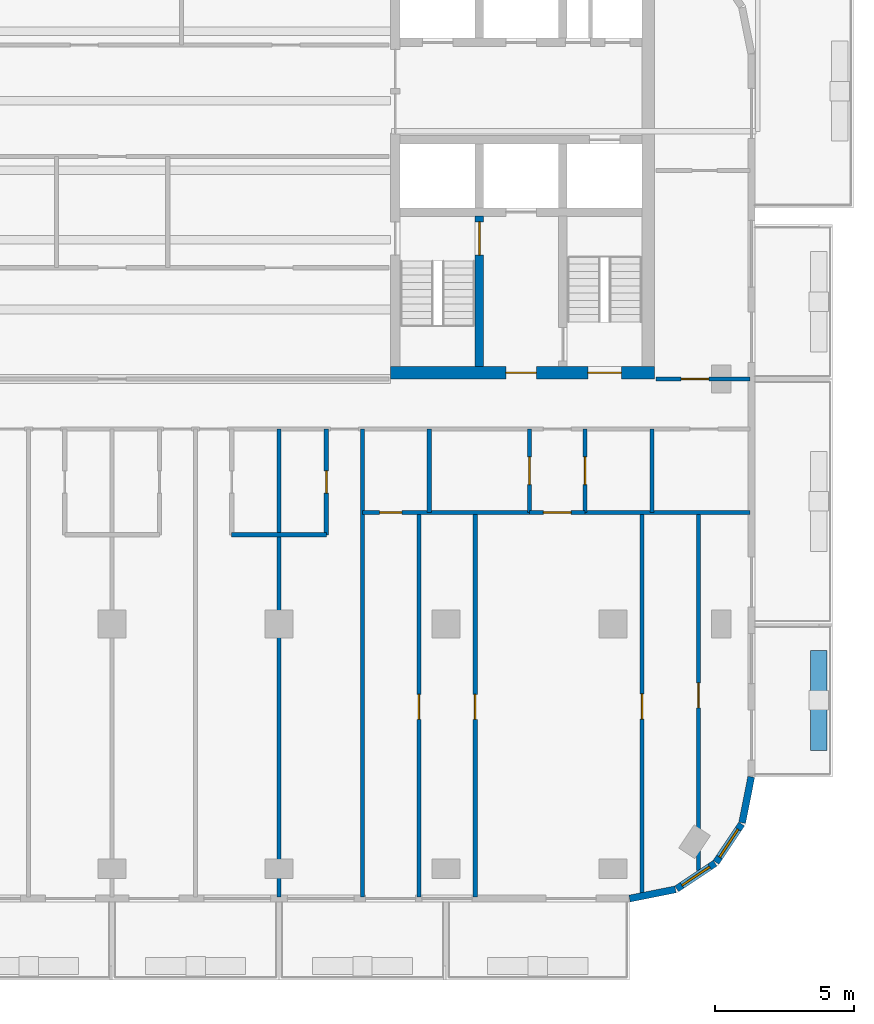
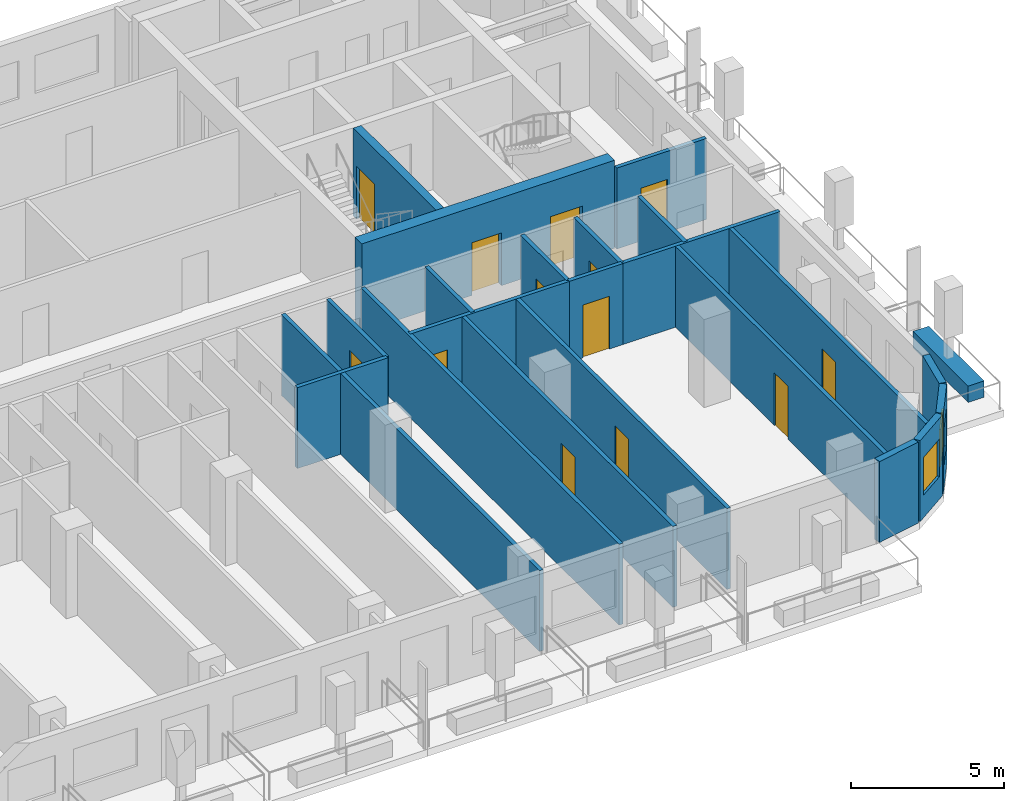
# One storey, part 5 of 11: 23 walls, 13 doors, 2 windows, 15 openings.
"""IFC4 building model written with IfcOpenShell, lengths in metres."""

import ifcopenshell
import ifcopenshell.guid

model = None  # the IFC model being written
_history = None  # IfcOwnerHistory: only IFC2X3 demands one
_inside = {}  # id of a spatial element -> (the spatial element, [elements in it])
_under = {}  # id of a project, library or spatial element -> (it, [spatial elements below it])
_declared = {}  # id of a project -> (the project, [libraries it declares])
_typed = {}  # id of a type object -> (the type object, [elements of that type])
_made_of = {}  # id of a material, layer set ... -> (it, [elements and type objects made of it])


def new_model(schema):
    """Start an empty IFC model of exactly this schema.

    Asked for "IFC4X3", IfcOpenShell would pick the latest addendum, in which some entities
    have other attributes; the version numbers below select the first issue.
    IFC2X3 requires an IfcOwnerHistory on every rooted entity: one is made here for all.
    """
    global model, _history
    if schema == "IFC4X3":
        model = ifcopenshell.file(schema_version=(4, 3, 0, 0))
    else:
        model = ifcopenshell.file(schema=schema)
    _inside.clear()
    _under.clear()
    _declared.clear()
    _typed.clear()
    _made_of.clear()
    _history = None
    if model.schema == "IFC2X3":
        org = make("IfcOrganization", Name="unknown")
        user = make(
            "IfcPersonAndOrganization",
            ThePerson=make("IfcPerson", FamilyName="unknown"),
            TheOrganization=org,
        )
        app = make(
            "IfcApplication",
            ApplicationDeveloper=org,
            Version="unknown",
            ApplicationFullName="unknown",
            ApplicationIdentifier="unknown",
        )
        _history = make(
            "IfcOwnerHistory",
            OwningUser=user,
            OwningApplication=app,
            ChangeAction="ADDED",
            CreationDate=0,
        )
    return model


def make(cls, **values):
    """One entity of the class cls with the attributes given. An attribute that is None is left unset."""
    return model.create_entity(
        cls, **{name: value for name, value in values.items() if value is not None}
    )


def rooted(cls, **values):
    """An entity with a GlobalId (a new one), such as an element, a storey or a relation."""
    return make(cls, GlobalId=ifcopenshell.guid.new(), OwnerHistory=_history, **values)


def si_unit(unit_type, name, prefix=None):
    """IfcSIUnit, for example si_unit("LENGTHUNIT", "METRE", prefix="MILLI")."""
    return make("IfcSIUnit", UnitType=unit_type, Prefix=prefix, Name=name)


def assignment(units):
    """IfcUnitAssignment: the units of a project."""
    return None if units is None else make("IfcUnitAssignment", Units=units)


def point(xyz):
    """IfcCartesianPoint."""
    return None if xyz is None else make("IfcCartesianPoint", Coordinates=xyz)


def direction(xyz):
    """IfcDirection."""
    return None if xyz is None else make("IfcDirection", DirectionRatios=xyz)


def frame(location, z_axis=None, x_axis=None):
    """IfcAxis2Placement3D, a coordinate frame: its origin and axes. An axis left out is left unset."""
    return make(
        "IfcAxis2Placement3D",
        Location=point(location),
        Axis=direction(z_axis),
        RefDirection=direction(x_axis),
    )


def frame_2d(location, x_axis=None):
    """IfcAxis2Placement2D, a coordinate frame in the plane: its origin and x axis."""
    return make(
        "IfcAxis2Placement2D", Location=point(location), RefDirection=direction(x_axis)
    )


def origin():
    """The frame at (0, 0, 0) with its axes left unset."""
    return frame((0.0, 0.0, 0.0))


def place(relative_to, where):
    """IfcLocalPlacement: puts the frame where relative to a parent placement (None: the world)."""
    return make(
        "IfcLocalPlacement", PlacementRelTo=relative_to, RelativePlacement=where
    )


def context(
    kind, dimensions, precision=None, world=None, true_north=None, identifier=None
):
    """IfcGeometricRepresentationContext, for example the 3D "Model" context."""
    return make(
        "IfcGeometricRepresentationContext",
        ContextIdentifier=identifier,
        ContextType=kind,
        CoordinateSpaceDimension=dimensions,
        Precision=precision,
        WorldCoordinateSystem=world,
        TrueNorth=true_north,
    )


def subcontext(parent, identifier, kind, view, scale=None):
    """IfcGeometricRepresentationSubContext, for example "Body" below "Model"."""
    return make(
        "IfcGeometricRepresentationSubContext",
        ContextIdentifier=identifier,
        ContextType=kind,
        ParentContext=parent,
        TargetScale=scale,
        TargetView=view,
    )


def project(units=None, contexts=None):
    """IfcProject with its units and contexts."""
    return rooted(
        "IfcProject",
        Name="project",
        RepresentationContexts=contexts,
        UnitsInContext=assignment(units),
    )


def spatial(cls, under=None, at=None, **own):
    """A site, building, storey or space (cls), placed at a placement, below another one or the project."""
    s = rooted(cls, ObjectPlacement=at, **own)
    if under is not None:
        _under.setdefault(under.id(), (under, []))[1].append(s)
    return s


def profile(cls, at=None, kind="AREA", **sizes):
    """A parametric profile (cls). Its sizes go by their IFC names, for example OverallWidth=200.0."""
    return make(cls, ProfileType=kind, Position=at, **sizes)


def rectangle(**sizes):
    """IfcRectangleProfileDef."""
    return profile("IfcRectangleProfileDef", **sizes)


def extrude(swept, where, along, depth):
    """IfcExtrudedAreaSolid: the profile swept, set in the frame where, extruded along a direction by depth."""
    return make(
        "IfcExtrudedAreaSolid",
        SweptArea=swept,
        Position=where,
        ExtrudedDirection=direction(along),
        Depth=depth,
    )


def shape(context_of_items, identifier, shape_type, items):
    """IfcShapeRepresentation: the items that make up one representation, for example the "Body"."""
    return make(
        "IfcShapeRepresentation",
        ContextOfItems=context_of_items,
        RepresentationIdentifier=identifier,
        RepresentationType=shape_type,
        Items=items,
    )


def material(Name=None, Category=None):
    """IfcMaterial."""
    return make("IfcMaterial", Name=Name, Category=Category)


def layer(
    of_material, thickness, ventilated=None, Name=None, Category=None, Priority=None
):
    """IfcMaterialLayer: one layer of a wall or slab, of a material (None: an air gap)."""
    return make(
        "IfcMaterialLayer",
        Material=of_material,
        LayerThickness=thickness,
        IsVentilated=ventilated,
        Name=Name,
        Category=Category,
        Priority=Priority,
    )


def layer_set(layers, Name=None):
    """IfcMaterialLayerSet."""
    return make("IfcMaterialLayerSet", MaterialLayers=layers, LayerSetName=Name)


def made_of(thing, what):
    """Note that an element or type object is made of a material, layer set ...; save() writes the relation."""
    if what is not None:
        _made_of.setdefault(what.id(), (what, []))[1].append(thing)
    return thing


def type_object(cls, material=None, **own):
    """A type object (cls), such as IfcWallType, which elements share."""
    return made_of(rooted(cls, **own), material)


def element(
    cls,
    number,
    at=None,
    inside=None,
    cuts=None,
    type_object=None,
    material=None,
    context=None,
    identifier="Body",
    shape_type=None,
    held_by="IfcProductDefinitionShape",
    body=None,
    shapes=None,
    **own,
):
    """One element of the class cls, such as IfcWall. Its Tag is "e" and its number.

    at: its placement. inside: the storey or other place that contains it. cuts: it is an
    opening in that element (IfcRelVoidsElement). A single representation is given by context,
    identifier, shape_type and body (its items); several are given by shapes. held_by: the class
    of the entity that holds the representations. save() writes the other relations.
    """
    e = rooted(cls, Tag="e%d" % number, ObjectPlacement=at, **own)
    if body is not None:
        shapes = [shape(context, identifier, shape_type, body)]
    if shapes is not None:
        e.Representation = make(held_by, Representations=shapes)
    if inside is not None:
        _inside.setdefault(inside.id(), (inside, []))[1].append(e)
    if cuts is not None:
        rooted(
            "IfcRelVoidsElement", RelatingBuildingElement=cuts, RelatedOpeningElement=e
        )
    if type_object is not None:
        _typed.setdefault(type_object.id(), (type_object, []))[1].append(e)
    return made_of(e, material)


def fill(opening, filler):
    """IfcRelFillsElement: the door or window that sits in an opening."""
    return rooted(
        "IfcRelFillsElement",
        RelatingOpeningElement=opening,
        RelatedBuildingElement=filler,
    )


def aggregate(whole, parts):
    """IfcRelAggregates: a whole, such as a stair, and the parts it consists of."""
    return rooted("IfcRelAggregates", RelatingObject=whole, RelatedObjects=parts)


def save(model, path):
    """Write the relations noted so far, then the file.

    IfcRelAggregates (storeys below a building ...), IfcRelContainedInSpatialStructure (elements
    in a storey), IfcRelDefinesByType, IfcRelAssociatesMaterial and IfcRelDeclares: one each for
    every whole, place, type object, material and project.
    """
    for whole, parts in _under.values():
        aggregate(whole, parts)
    for where, things in _inside.values():
        rooted(
            "IfcRelContainedInSpatialStructure",
            RelatedElements=things,
            RelatingStructure=where,
        )
    for kind, things in _typed.values():
        rooted("IfcRelDefinesByType", RelatedObjects=things, RelatingType=kind)
    for what, things in _made_of.values():
        rooted("IfcRelAssociatesMaterial", RelatedObjects=things, RelatingMaterial=what)
    for by, libraries in _declared.values():
        rooted("IfcRelDeclares", RelatingContext=by, RelatedDefinitions=libraries)
    model.write(path)


model = new_model("IFC4")

# Units and contexts
model_context = context("Model", 3, precision=1e-05, world=origin(), true_north=direction((0.0, 1.0)))
body_context = subcontext(model_context, "Body", "Model", "MODEL_VIEW")
ifc_project = project(units=[si_unit("LENGTHUNIT", "METRE"), si_unit("AREAUNIT", "SQUARE_METRE"), si_unit("VOLUMEUNIT", "CUBIC_METRE"), si_unit("PLANEANGLEUNIT", "RADIAN"), si_unit("MASSUNIT", "GRAM", prefix="KILO")], contexts=[model_context])

# Site, building, storey
site_placement = place(None, origin())
site = spatial("IfcSite", under=ifc_project, at=site_placement, CompositionType="ELEMENT")
building_placement = place(site_placement, origin())
building = spatial("IfcBuilding", under=site, at=building_placement, Name="Torana Hotel and Residences", CompositionType="ELEMENT")
storey_placement = place(building_placement, frame((0.0, 0.0, 259.60009765625)))
storey = spatial("IfcBuildingStorey", under=building, at=storey_placement, Name="L68", CompositionType="ELEMENT", Elevation=259.60009765625)

# Wall, opening, door
ifc_material_1 = material(Name="Concrete C60/75", Category="concrete")
ifc_layer_1 = layer(ifc_material_1, 0.300048828125)
ifc_layer_set_1 = layer_set([ifc_layer_1], Name="CORE WALL 300 C60/75")
wall_type_1 = type_object("IfcWallType", Name="CORE WALL 300 C60/75", PredefinedType="SHEAR", material=ifc_layer_set_1)
wall_1_placement = place(storey_placement, frame((13.199951171875, -14.550048828125, 0.0), z_axis=(0.0, 0.0, 1.0), x_axis=(0.0, 1.0, 0.0)))
wall_1 = element("IfcWall", 1, at=wall_1_placement, inside=storey, type_object=wall_type_1, Name="Core wall E x3.05-band", PredefinedType="SHEAR", context=body_context, shape_type="SweptSolid", body=[
    extrude(rectangle(XDim=5.400146484375, YDim=0.300048828125, at=frame_2d((2.7001953125, 0.0))), origin(), (0.0, 0.0, 1.0), 3.5),
])
opening_1_placement = place(wall_1_placement, frame((4.0, 0.0, 0.0)))
opening_1 = element("IfcOpeningElement", 2, at=opening_1_placement, cuts=wall_1, Name="Opening L68-17", PredefinedType="OPENING", context=body_context, shape_type="SweptSolid", body=[
    extrude(rectangle(XDim=1.199951171875, YDim=2.10009765625, at=frame_2d((0.60009765625, 1.050048828125))), frame((0.0, 0.159912109375, 0.0), z_axis=(0.0, -1.0, 0.0), x_axis=(1.0, 0.0, 0.0)), (0.0, 0.0, 1.0), 0.320068359375),
])
ifc_material_2 = material(Name="Steel S235", Category="steel")
door_type_1 = type_object("IfcDoorType", Name="STAIR FIRE DOOR D3 1200x2100", OperationType="SINGLE_SWING_LEFT", PredefinedType="DOOR", material=ifc_material_2)
door_1_placement = place(opening_1_placement, origin())
door_1 = element("IfcDoor", 3, at=door_1_placement, inside=storey, type_object=door_type_1, Name="Stair-A-lobby door L68", OperationType="SINGLE_SWING_LEFT", OverallHeight=2.10009765625, OverallWidth=1.199951171875, PredefinedType="DOOR", context=body_context, shape_type="SweptSolid", body=[
    extrude(rectangle(XDim=1.199951171875, YDim=2.10009765625, at=frame_2d((0.60009765625, 1.050048828125))), frame((0.0, 0.02490234375, 0.0), z_axis=(0.0, -1.0, 0.0), x_axis=(1.0, 0.0, 0.0)), (0.0, 0.0, 1.0), 0.050048828125),
])
fill(opening_1, door_1)

# Wall, openings, doors
ifc_material_3 = material(Name="Concrete C60/75", Category="concrete")
ifc_layer_2 = layer(ifc_material_3, 0.449951171875)
ifc_layer_set_2 = layer_set([ifc_layer_2], Name="CORE WALL 450 C60/75")
wall_type_2 = type_object("IfcWallType", Name="CORE WALL 450 C60/75", PredefinedType="SHEAR", material=ifc_layer_set_2)
wall_2_placement = place(storey_placement, frame((10.0, -14.77490234375, 0.0), z_axis=(0.0, 0.0, 1.0), x_axis=(1.0, 0.0, 0.0)))
wall_2 = element("IfcWall", 4, at=wall_2_placement, inside=storey, type_object=wall_type_2, Name="Core wall E front", PredefinedType="SHEAR", context=body_context, shape_type="SweptSolid", body=[
    extrude(rectangle(XDim=9.5, YDim=0.449951171875, at=frame_2d((4.75, 0.0))), origin(), (0.0, 0.0, 1.0), 3.5),
])
opening_2_placement = place(wall_2_placement, frame((7.10009765625, 0.0, 0.0)))
opening_2 = element("IfcOpeningElement", 5, at=opening_2_placement, cuts=wall_2, Name="Opening L68-13", PredefinedType="OPENING", context=body_context, shape_type="SweptSolid", body=[
    extrude(rectangle(XDim=1.199951171875, YDim=2.10009765625, at=frame_2d((0.60009765625, 1.050048828125))), frame((0.0, 0.23486328125, 0.0), z_axis=(0.0, -1.0, 0.0), x_axis=(1.0, 0.0, 0.0)), (0.0, 0.0, 1.0), 0.469970703125),
])
opening_3_placement = place(wall_2_placement, frame((4.14990234375, 0.0, 0.0)))
opening_3 = element("IfcOpeningElement", 6, at=opening_3_placement, cuts=wall_2, Name="Opening L68-14", PredefinedType="OPENING", context=body_context, shape_type="SweptSolid", body=[
    extrude(rectangle(XDim=1.10009765625, YDim=2.10009765625, at=frame_2d((0.550048828125, 1.050048828125))), frame((0.0, 0.23486328125, 0.0), z_axis=(0.0, -1.0, 0.0), x_axis=(1.0, 0.0, 0.0)), (0.0, 0.0, 1.0), 0.469970703125),
])
ifc_material_4 = material(Name="Steel S235", Category="steel")
door_type_2 = type_object("IfcDoorType", Name="FIRE-FIGHTING LOBBY DOOR D8 1100x2100", OperationType="SINGLE_SWING_LEFT", PredefinedType="DOOR", material=ifc_material_4)
door_2_placement = place(opening_3_placement, origin())
door_2 = element("IfcDoor", 7, at=door_2_placement, inside=storey, type_object=door_type_2, Name="FF-lobby door L68", OperationType="SINGLE_SWING_RIGHT", OverallHeight=2.10009765625, OverallWidth=1.10009765625, PredefinedType="DOOR", context=body_context, shape_type="SweptSolid", body=[
    extrude(rectangle(XDim=1.10009765625, YDim=2.10009765625, at=frame_2d((0.550048828125, 1.050048828125))), frame((0.0, 0.02490234375, 0.0), z_axis=(0.0, -1.0, 0.0), x_axis=(1.0, 0.0, 0.0)), (0.0, 0.0, 1.0), 0.050048828125),
])
fill(opening_3, door_2)
door_3_placement = place(opening_2_placement, origin())
door_3 = element("IfcDoor", 8, at=door_3_placement, inside=storey, type_object=door_type_1, Name="Stair-B door L68", OperationType="SINGLE_SWING_RIGHT", OverallHeight=2.10009765625, OverallWidth=1.199951171875, PredefinedType="DOOR", context=body_context, shape_type="SweptSolid", body=[
    extrude(rectangle(XDim=1.199951171875, YDim=2.10009765625, at=frame_2d((0.60009765625, 1.050048828125))), frame((0.0, 0.02490234375, 0.0), z_axis=(0.0, -1.0, 0.0), x_axis=(1.0, 0.0, 0.0)), (0.0, 0.0, 1.0), 0.050048828125),
])
fill(opening_2, door_3)

# Wall
ifc_material_5 = material(Name="Black aluminium composite panel", Category="aluminium")
ifc_layer_3 = layer(ifc_material_5, 0.00390625, Name="Cladding", Category="cladding")
ifc_material_6 = material(Name="Ventilated air cavity")
ifc_layer_4 = layer(ifc_material_6, 0.0400390625, Name="Ventilated cavity", Category="cavity")
ifc_material_7 = material(Name="Mineral wool insulation")
ifc_layer_5 = layer(ifc_material_7, 0.090087890625, Name="Insulation", Category="insulation")
ifc_material_8 = material(Name="Steel S280GD", Category="steel")
ifc_layer_6 = layer(ifc_material_8, 0.092041015625, Name="Steel stud frame", Category="structure")
ifc_material_9 = material(Name="Fire rated plasterboard")
ifc_layer_7 = layer(ifc_material_9, 0.011962890625, Name="Inner board", Category="finish")
ifc_layer_8 = layer(ifc_material_9, 0.011962890625, Name="Second board", Category="finish")
ifc_layer_set_3 = layer_set([ifc_layer_3, ifc_layer_4, ifc_layer_5, ifc_layer_6, ifc_layer_7, ifc_layer_8], Name="EW1 EXTERNAL WALL BLACK METAL CLAD 250")
wall_type_3 = type_object("IfcWallType", Name="EW1 EXTERNAL WALL BLACK METAL CLAD 250", PredefinedType="SOLIDWALL", material=ifc_layer_set_3)
wall_3_placement = place(storey_placement, frame((18.599853515625, -33.672607421875, 0.0), z_axis=(0.0, 0.0, 1.0), x_axis=(0.980770110232, 0.195166572128, 0.0)))
element("IfcWall", 9, at=wall_3_placement, inside=storey, type_object=wall_type_3, Name="External wall L68 e0.15", PredefinedType="SOLIDWALL", context=body_context, shape_type="SweptSolid", body=[
    extrude(rectangle(XDim=1.68115234375, YDim=0.25, at=frame_2d((0.840576171875, 0.0))), origin(), (0.0, 0.0, 1.0), 3.219970703125),
])

# Wall, opening, window
wall_4_placement = place(storey_placement, frame((20.2939453125, -33.325927734375, 0.0), z_axis=(0.0, 0.0, 1.0), x_axis=(0.831482937015, 0.55555029066, 0.0)))
wall_4 = element("IfcWall", 10, at=wall_4_placement, inside=storey, type_object=wall_type_3, Name="External wall L68 e0.16", PredefinedType="SOLIDWALL", context=body_context, shape_type="SweptSolid", body=[
    extrude(rectangle(XDim=1.65625, YDim=0.25, at=frame_2d((0.828125, 0.0))), origin(), (0.0, 0.0, 1.0), 3.219970703125),
])
opening_4_placement = place(wall_4_placement, frame((0.228271484375, 0.0, 0.89990234375)))
opening_4 = element("IfcOpeningElement", 11, at=opening_4_placement, cuts=wall_4, Name="Opening W5", PredefinedType="OPENING", context=body_context, shape_type="SweptSolid", body=[
    extrude(rectangle(XDim=1.199951171875, YDim=1.5, at=frame_2d((0.60009765625, 0.75))), frame((0.0, 0.135009765625, 0.0), z_axis=(0.0, -1.0, 0.0), x_axis=(1.0, 0.0, 0.0)), (0.0, 0.0, 1.0), 0.27001953125),
])
ifc_material_10 = material(Name="Dark glass in black aluminium frame", Category="aluminium")
window_type = type_object("IfcWindowType", Name="W5 CORNER FACET WINDOW 1200x1500", PartitioningType="SINGLE_PANEL", PredefinedType="WINDOW", material=ifc_material_10)
window_1_placement = place(opening_4_placement, origin())
window_1 = element("IfcWindow", 12, at=window_1_placement, inside=storey, type_object=window_type, Name="Window L68 e0.16", OverallHeight=1.5, OverallWidth=1.199951171875, PartitioningType="SINGLE_PANEL", PredefinedType="WINDOW", context=body_context, shape_type="SweptSolid", body=[
    extrude(rectangle(XDim=1.199951171875, YDim=1.5, at=frame_2d((0.60009765625, 0.75))), frame((0.0, 0.030029296875, 0.0), z_axis=(0.0, -1.0, 0.0), x_axis=(1.0, 0.0, 0.0)), (0.0, 0.0, 1.0), 0.06005859375),
])
fill(opening_4, window_1)

wall_5_placement = place(storey_placement, frame((21.705810546875, -32.37109375, 0.0), z_axis=(0.0, 0.0, 1.0), x_axis=(0.55555029066, 0.831482937015, 0.0)))
wall_5 = element("IfcWall", 13, at=wall_5_placement, inside=storey, type_object=wall_type_3, Name="External wall L68 e0.17", PredefinedType="SOLIDWALL", context=body_context, shape_type="SweptSolid", body=[
    extrude(rectangle(XDim=1.65625, YDim=0.25, at=frame_2d((0.828125, 0.0))), origin(), (0.0, 0.0, 1.0), 3.219970703125),
])
opening_5_placement = place(wall_5_placement, frame((0.228271484375, 0.0, 0.89990234375)))
opening_5 = element("IfcOpeningElement", 14, at=opening_5_placement, cuts=wall_5, Name="Opening W5", PredefinedType="OPENING", context=body_context, shape_type="SweptSolid", body=[
    extrude(rectangle(XDim=1.199951171875, YDim=1.5, at=frame_2d((0.60009765625, 0.75))), frame((0.0, 0.135009765625, 0.0), z_axis=(0.0, -1.0, 0.0), x_axis=(1.0, 0.0, 0.0)), (0.0, 0.0, 1.0), 0.27001953125),
])
window_2_placement = place(opening_5_placement, origin())
window_2 = element("IfcWindow", 15, at=window_2_placement, inside=storey, type_object=window_type, Name="Window L68 e0.17", OverallHeight=1.5, OverallWidth=1.199951171875, PartitioningType="SINGLE_PANEL", PredefinedType="WINDOW", context=body_context, shape_type="SweptSolid", body=[
    extrude(rectangle(XDim=1.199951171875, YDim=1.5, at=frame_2d((0.60009765625, 0.75))), frame((0.0, 0.030029296875, 0.0), z_axis=(0.0, -1.0, 0.0), x_axis=(1.0, 0.0, 0.0)), (0.0, 0.0, 1.0), 0.06005859375),
])
fill(opening_5, window_2)

# Wall
wall_6_placement = place(storey_placement, frame((22.64453125, -30.948974609375, 0.0), z_axis=(0.0, 0.0, 1.0), x_axis=(0.19513878023, 0.980775640221, 0.0)))
element("IfcWall", 16, at=wall_6_placement, inside=storey, type_object=wall_type_3, Name="External wall L68 e0.18", PredefinedType="SOLIDWALL", context=body_context, shape_type="SweptSolid", body=[
    extrude(rectangle(XDim=1.681396484375, YDim=0.25, at=frame_2d((0.8408203125, 0.0))), origin(), (0.0, 0.0, 1.0), 3.219970703125),
])

# Wall, opening, door
ifc_material_11 = material(Name="Gypsum plaster")
ifc_layer_9 = layer(ifc_material_11, 0.014892578125, Name="Plaster", Category="finish")
ifc_material_12 = material(Name="Concrete blockwork", Category="masonry")
ifc_layer_10 = layer(ifc_material_12, 0.1201171875, Name="Blockwork", Category="structure")
ifc_layer_11 = layer(ifc_material_11, 0.014892578125, Name="Plaster", Category="finish")
ifc_layer_set_4 = layer_set([ifc_layer_9, ifc_layer_10, ifc_layer_11], Name="FIRE PARTITION 150 BLOCKWORK")
wall_type_4 = type_object("IfcWallType", Name="FIRE PARTITION 150 BLOCKWORK", PredefinedType="PARTITIONING", material=ifc_layer_set_4)
wall_7_placement = place(storey_placement, frame((17.0, -19.800048828125, 0.0), z_axis=(0.0, 0.0, 1.0), x_axis=(0.0, 1.0, 0.0)))
wall_7 = element("IfcWall", 17, at=wall_7_placement, inside=storey, type_object=wall_type_4, Name="Partition L68", PredefinedType="PARTITIONING", context=body_context, shape_type="SweptSolid", body=[
    extrude(rectangle(XDim=3.0, YDim=0.14990234375, at=frame_2d((1.5, 0.0))), origin(), (0.0, 0.0, 1.0), 3.219970703125),
])
opening_6_placement = place(wall_7_placement, frame((1.0, 0.0, 0.0)))
opening_6 = element("IfcOpeningElement", 18, at=opening_6_placement, cuts=wall_7, Name="Opening L68-55", PredefinedType="OPENING", context=body_context, shape_type="SweptSolid", body=[
    extrude(rectangle(XDim=1.0, YDim=2.10009765625, at=frame_2d((0.5, 1.050048828125))), frame((0.0, 0.0849609375, 0.0), z_axis=(0.0, -1.0, 0.0), x_axis=(1.0, 0.0, 0.0)), (0.0, 0.0, 1.0), 0.169921875),
])
ifc_material_13 = material(Name="Steel S235", Category="steel")
door_type_3 = type_object("IfcDoorType", Name="ENTRY FIRE DOOR D6 1000x2100", OperationType="SINGLE_SWING_LEFT", PredefinedType="DOOR", material=ifc_material_13)
door_4_placement = place(opening_6_placement, frame((0.5, 0.0, 0.0), z_axis=(0.0, 0.0, 1.0), x_axis=(-1.0, 0.0, 0.0)))
door_4 = element("IfcDoor", 19, at=door_4_placement, inside=storey, type_object=door_type_3, Name="Door L68", OperationType="SINGLE_SWING_LEFT", OverallHeight=2.10009765625, OverallWidth=1.0, PredefinedType="DOOR", context=body_context, shape_type="SweptSolid", body=[
    extrude(rectangle(XDim=1.0, YDim=2.10009765625, at=frame_2d((0.0, 1.050048828125))), frame((0.0, -0.02490234375, 0.0), z_axis=(0.0, 1.0, 0.0), x_axis=(-1.0, 0.0, 0.0)), (0.0, 0.0, 1.0), 0.050048828125),
])
fill(opening_6, door_4)

wall_8_placement = place(storey_placement, frame((15.0, -19.800048828125, 0.0), z_axis=(0.0, 0.0, 1.0), x_axis=(0.0, 1.0, 0.0)))
wall_8 = element("IfcWall", 20, at=wall_8_placement, inside=storey, type_object=wall_type_4, Name="Partition L68", PredefinedType="PARTITIONING", context=body_context, shape_type="SweptSolid", body=[
    extrude(rectangle(XDim=3.0, YDim=0.14990234375, at=frame_2d((1.5, 0.0))), origin(), (0.0, 0.0, 1.0), 3.219970703125),
])
opening_7_placement = place(wall_8_placement, frame((1.0, 0.0, 0.0)))
opening_7 = element("IfcOpeningElement", 21, at=opening_7_placement, cuts=wall_8, Name="Opening L68-54", PredefinedType="OPENING", context=body_context, shape_type="SweptSolid", body=[
    extrude(rectangle(XDim=1.0, YDim=2.10009765625, at=frame_2d((0.5, 1.050048828125))), frame((0.0, 0.0849609375, 0.0), z_axis=(0.0, -1.0, 0.0), x_axis=(1.0, 0.0, 0.0)), (0.0, 0.0, 1.0), 0.169921875),
])
door_5_placement = place(opening_7_placement, origin())
door_5 = element("IfcDoor", 22, at=door_5_placement, inside=storey, type_object=door_type_3, Name="Door L68", OperationType="SINGLE_SWING_RIGHT", OverallHeight=2.10009765625, OverallWidth=1.0, PredefinedType="DOOR", context=body_context, shape_type="SweptSolid", body=[
    extrude(rectangle(XDim=1.0, YDim=2.10009765625, at=frame_2d((0.5, 1.050048828125))), frame((0.0, 0.02490234375, 0.0), z_axis=(0.0, -1.0, 0.0), x_axis=(1.0, 0.0, 0.0)), (0.0, 0.0, 1.0), 0.050048828125),
])
fill(opening_7, door_5)

wall_9_placement = place(storey_placement, frame((15.0, -19.800048828125, 0.0), z_axis=(0.0, 0.0, 1.0), x_axis=(1.0, 0.0, 0.0)))
wall_9 = element("IfcWall", 23, at=wall_9_placement, inside=storey, type_object=wall_type_4, Name="Partition L68", PredefinedType="PARTITIONING", context=body_context, shape_type="SweptSolid", body=[
    extrude(rectangle(XDim=2.0, YDim=0.14990234375, at=frame_2d((1.0, 0.0))), origin(), (0.0, 0.0, 1.0), 3.219970703125),
])
opening_8_placement = place(wall_9_placement, frame((0.5, 0.0, 0.0)))
opening_8 = element("IfcOpeningElement", 24, at=opening_8_placement, cuts=wall_9, Name="Opening L68-56", PredefinedType="OPENING", context=body_context, shape_type="SweptSolid", body=[
    extrude(rectangle(XDim=1.0, YDim=2.10009765625, at=frame_2d((0.5, 1.050048828125))), frame((0.0, 0.0849609375, 0.0), z_axis=(0.0, -1.0, 0.0), x_axis=(1.0, 0.0, 0.0)), (0.0, 0.0, 1.0), 0.169921875),
])
door_6_placement = place(opening_8_placement, frame((0.5, 0.0, 0.0), z_axis=(0.0, 0.0, 1.0), x_axis=(-1.0, 0.0, 0.0)))
door_6 = element("IfcDoor", 25, at=door_6_placement, inside=storey, type_object=door_type_3, Name="Door L68", OperationType="SINGLE_SWING_LEFT", OverallHeight=2.10009765625, OverallWidth=1.0, PredefinedType="DOOR", context=body_context, shape_type="SweptSolid", body=[
    extrude(rectangle(XDim=1.0, YDim=2.10009765625, at=frame_2d((0.0, 1.050048828125))), frame((0.0, -0.02490234375, 0.0), z_axis=(0.0, 1.0, 0.0), x_axis=(-1.0, 0.0, 0.0)), (0.0, 0.0, 1.0), 0.050048828125),
])
fill(opening_8, door_6)

wall_10_placement = place(storey_placement, frame((19.550048828125, -15.0, 0.0), z_axis=(0.0, 0.0, 1.0), x_axis=(1.0, 0.0, 0.0)))
wall_10 = element("IfcWall", 26, at=wall_10_placement, inside=storey, type_object=wall_type_4, Name="Partition L68", PredefinedType="PARTITIONING", context=body_context, shape_type="SweptSolid", body=[
    extrude(rectangle(XDim=3.369873046875, YDim=0.14990234375, at=frame_2d((1.68505859375, 0.0))), origin(), (0.0, 0.0, 1.0), 3.219970703125),
])
opening_9_placement = place(wall_10_placement, frame((0.89990234375, 0.0, 0.0)))
opening_9 = element("IfcOpeningElement", 27, at=opening_9_placement, cuts=wall_10, Name="Opening L68-30", PredefinedType="OPENING", context=body_context, shape_type="SweptSolid", body=[
    extrude(rectangle(XDim=1.0, YDim=2.10009765625, at=frame_2d((0.5, 1.050048828125))), frame((0.0, 0.0849609375, 0.0), z_axis=(0.0, -1.0, 0.0), x_axis=(1.0, 0.0, 0.0)), (0.0, 0.0, 1.0), 0.169921875),
])
ifc_material_14 = material(Name="Steel S235", Category="steel")
door_type_4 = type_object("IfcDoorType", Name="CORE ROOM FIRE DOOR D14 1000x2100", OperationType="SINGLE_SWING_LEFT", PredefinedType="DOOR", material=ifc_material_14)
door_7_placement = place(opening_9_placement, origin())
door_7 = element("IfcDoor", 28, at=door_7_placement, inside=storey, type_object=door_type_4, Name="Door L68", OperationType="SINGLE_SWING_LEFT", OverallHeight=2.10009765625, OverallWidth=1.0, PredefinedType="DOOR", context=body_context, shape_type="SweptSolid", body=[
    extrude(rectangle(XDim=1.0, YDim=2.10009765625, at=frame_2d((0.5, 1.050048828125))), frame((0.0, 0.02490234375, 0.0), z_axis=(0.0, -1.0, 0.0), x_axis=(1.0, 0.0, 0.0)), (0.0, 0.0, 1.0), 0.050048828125),
])
fill(opening_9, door_7)

ifc_material_15 = material(Name="Gypsum plasterboard")
ifc_layer_12 = layer(ifc_material_15, 0.012451171875, Name="Plasterboard", Category="finish")
ifc_layer_13 = layer(ifc_material_15, 0.012451171875, Name="Plasterboard", Category="finish")
ifc_layer_14 = layer(ifc_material_8, 0.10009765625, Name="Steel studs with mineral wool", Category="insulation")
ifc_layer_15 = layer(ifc_material_15, 0.012451171875, Name="Plasterboard", Category="finish")
ifc_layer_16 = layer(ifc_material_15, 0.012451171875, Name="Plasterboard", Category="finish")
ifc_layer_set_5 = layer_set([ifc_layer_12, ifc_layer_13, ifc_layer_14, ifc_layer_15, ifc_layer_16], Name="PARTITION 150 PLASTERBOARD")
wall_type_5 = type_object("IfcWallType", Name="PARTITION 150 PLASTERBOARD", PredefinedType="PARTITIONING", material=ifc_layer_set_5)
wall_11_placement = place(storey_placement, frame((21.074951171875, -32.665771484375, 0.0), z_axis=(0.0, 0.0, 1.0), x_axis=(0.0, 1.0, 0.0)))
wall_11 = element("IfcWall", 29, at=wall_11_placement, inside=storey, type_object=wall_type_5, Name="Partition L68", PredefinedType="PARTITIONING", context=body_context, shape_type="SweptSolid", body=[
    extrude(rectangle(XDim=12.86572265625, YDim=0.14990234375, at=frame_2d((6.432861328125, 0.0))), origin(), (0.0, 0.0, 1.0), 3.219970703125),
])
opening_10_placement = place(wall_11_placement, frame((5.845703125, 0.0, 0.0)))
opening_10 = element("IfcOpeningElement", 30, at=opening_10_placement, cuts=wall_11, Name="Opening L68-60", PredefinedType="OPENING", context=body_context, shape_type="SweptSolid", body=[
    extrude(rectangle(XDim=0.89990234375, YDim=2.10009765625, at=frame_2d((0.449951171875, 1.050048828125))), frame((0.0, 0.0849609375, 0.0), z_axis=(0.0, -1.0, 0.0), x_axis=(1.0, 0.0, 0.0)), (0.0, 0.0, 1.0), 0.169921875),
])
ifc_material_16 = material(Name="Timber door, oiled ash", Category="wood")
door_type_5 = type_object("IfcDoorType", Name="ROOM DOOR D7 900x2100", OperationType="SINGLE_SWING_LEFT", PredefinedType="DOOR", material=ifc_material_16)
door_8_placement = place(opening_10_placement, origin())
door_8 = element("IfcDoor", 31, at=door_8_placement, inside=storey, type_object=door_type_5, Name="Door L68", OperationType="SINGLE_SWING_RIGHT", OverallHeight=2.10009765625, OverallWidth=0.89990234375, PredefinedType="DOOR", context=body_context, shape_type="SweptSolid", body=[
    extrude(rectangle(XDim=0.89990234375, YDim=2.10009765625, at=frame_2d((0.449951171875, 1.050048828125))), frame((0.0, 0.02490234375, 0.0), z_axis=(0.0, -1.0, 0.0), x_axis=(1.0, 0.0, 0.0)), (0.0, 0.0, 1.0), 0.050048828125),
])
fill(opening_10, door_8)

# Wall
wall_12_placement = place(storey_placement, frame((19.39990234375, -19.800048828125, 0.0), z_axis=(0.0, 0.0, 1.0), x_axis=(0.0, 1.0, 0.0)))
element("IfcWall", 32, at=wall_12_placement, inside=storey, type_object=wall_type_5, Name="Partition L68", PredefinedType="PARTITIONING", context=body_context, shape_type="SweptSolid", body=[
    extrude(rectangle(XDim=3.0, YDim=0.14990234375, at=frame_2d((1.5, 0.0))), origin(), (0.0, 0.0, 1.0), 3.219970703125),
])

# Wall, opening, door
wall_13_placement = place(storey_placement, frame((19.050048828125, -33.527099609375, 0.0), z_axis=(0.0, 0.0, 1.0), x_axis=(0.0, 1.0, 0.0)))
wall_13 = element("IfcWall", 33, at=wall_13_placement, inside=storey, type_object=wall_type_5, Name="Partition L68", PredefinedType="PARTITIONING", context=body_context, shape_type="SweptSolid", body=[
    extrude(rectangle(XDim=13.72705078125, YDim=0.14990234375, at=frame_2d((6.863525390625, 0.0))), origin(), (0.0, 0.0, 1.0), 3.219970703125),
])
opening_11_placement = place(wall_13_placement, frame((6.306884765625, 0.0, 0.0)))
opening_11 = element("IfcOpeningElement", 34, at=opening_11_placement, cuts=wall_13, Name="Opening L68-58", PredefinedType="OPENING", context=body_context, shape_type="SweptSolid", body=[
    extrude(rectangle(XDim=0.89990234375, YDim=2.10009765625, at=frame_2d((0.449951171875, 1.050048828125))), frame((0.0, 0.0849609375, 0.0), z_axis=(0.0, -1.0, 0.0), x_axis=(1.0, 0.0, 0.0)), (0.0, 0.0, 1.0), 0.169921875),
])
door_9_placement = place(opening_11_placement, origin())
door_9 = element("IfcDoor", 35, at=door_9_placement, inside=storey, type_object=door_type_5, Name="Door L68", OperationType="SINGLE_SWING_RIGHT", OverallHeight=2.10009765625, OverallWidth=0.89990234375, PredefinedType="DOOR", context=body_context, shape_type="SweptSolid", body=[
    extrude(rectangle(XDim=0.89990234375, YDim=2.10009765625, at=frame_2d((0.449951171875, 1.050048828125))), frame((0.0, 0.02490234375, 0.0), z_axis=(0.0, -1.0, 0.0), x_axis=(1.0, 0.0, 0.0)), (0.0, 0.0, 1.0), 0.050048828125),
])
fill(opening_11, door_9)

wall_14_placement = place(storey_placement, frame((13.050048828125, -33.6201171875, 0.0), z_axis=(0.0, 0.0, 1.0), x_axis=(0.0, 1.0, 0.0)))
wall_14 = element("IfcWall", 36, at=wall_14_placement, inside=storey, type_object=wall_type_5, Name="Partition L68", PredefinedType="PARTITIONING", context=body_context, shape_type="SweptSolid", body=[
    extrude(rectangle(XDim=13.820068359375, YDim=0.14990234375, at=frame_2d((6.91015625, 0.0))), origin(), (0.0, 0.0, 1.0), 3.219970703125),
])
opening_12_placement = place(wall_14_placement, frame((6.389892578125, 0.0, 0.0)))
opening_12 = element("IfcOpeningElement", 37, at=opening_12_placement, cuts=wall_14, Name="Opening L68-57", PredefinedType="OPENING", context=body_context, shape_type="SweptSolid", body=[
    extrude(rectangle(XDim=0.89990234375, YDim=2.10009765625, at=frame_2d((0.449951171875, 1.050048828125))), frame((0.0, 0.0849609375, 0.0), z_axis=(0.0, -1.0, 0.0), x_axis=(1.0, 0.0, 0.0)), (0.0, 0.0, 1.0), 0.169921875),
])
door_10_placement = place(opening_12_placement, origin())
door_10 = element("IfcDoor", 38, at=door_10_placement, inside=storey, type_object=door_type_5, Name="Door L68", OperationType="SINGLE_SWING_RIGHT", OverallHeight=2.10009765625, OverallWidth=0.89990234375, PredefinedType="DOOR", context=body_context, shape_type="SweptSolid", body=[
    extrude(rectangle(XDim=0.89990234375, YDim=2.10009765625, at=frame_2d((0.449951171875, 1.050048828125))), frame((0.0, 0.02490234375, 0.0), z_axis=(0.0, -1.0, 0.0), x_axis=(1.0, 0.0, 0.0)), (0.0, 0.0, 1.0), 0.050048828125),
])
fill(opening_12, door_10)

# Wall
wall_15_placement = place(storey_placement, frame((11.39990234375, -19.800048828125, 0.0), z_axis=(0.0, 0.0, 1.0), x_axis=(0.0, 1.0, 0.0)))
element("IfcWall", 39, at=wall_15_placement, inside=storey, type_object=wall_type_5, Name="Partition L68", PredefinedType="PARTITIONING", context=body_context, shape_type="SweptSolid", body=[
    extrude(rectangle(XDim=3.0, YDim=0.14990234375, at=frame_2d((1.5, 0.0))), origin(), (0.0, 0.0, 1.0), 3.219970703125),
])

# Wall, opening, door
wall_16_placement = place(storey_placement, frame((11.02490234375, -33.6201171875, 0.0), z_axis=(0.0, 0.0, 1.0), x_axis=(0.0, 1.0, 0.0)))
wall_16 = element("IfcWall", 40, at=wall_16_placement, inside=storey, type_object=wall_type_5, Name="Partition L68", PredefinedType="PARTITIONING", context=body_context, shape_type="SweptSolid", body=[
    extrude(rectangle(XDim=13.820068359375, YDim=0.14990234375, at=frame_2d((6.91015625, 0.0))), origin(), (0.0, 0.0, 1.0), 3.219970703125),
])
opening_13_placement = place(wall_16_placement, frame((6.389892578125, 0.0, 0.0)))
opening_13 = element("IfcOpeningElement", 41, at=opening_13_placement, cuts=wall_16, Name="Opening L68-59", PredefinedType="OPENING", context=body_context, shape_type="SweptSolid", body=[
    extrude(rectangle(XDim=0.89990234375, YDim=2.10009765625, at=frame_2d((0.449951171875, 1.050048828125))), frame((0.0, 0.0849609375, 0.0), z_axis=(0.0, -1.0, 0.0), x_axis=(1.0, 0.0, 0.0)), (0.0, 0.0, 1.0), 0.169921875),
])
door_11_placement = place(opening_13_placement, origin())
door_11 = element("IfcDoor", 42, at=door_11_placement, inside=storey, type_object=door_type_5, Name="Door L68", OperationType="SINGLE_SWING_RIGHT", OverallHeight=2.10009765625, OverallWidth=0.89990234375, PredefinedType="DOOR", context=body_context, shape_type="SweptSolid", body=[
    extrude(rectangle(XDim=0.89990234375, YDim=2.10009765625, at=frame_2d((0.449951171875, 1.050048828125))), frame((0.0, 0.02490234375, 0.0), z_axis=(0.0, -1.0, 0.0), x_axis=(1.0, 0.0, 0.0)), (0.0, 0.0, 1.0), 0.050048828125),
])
fill(opening_13, door_11)

# Wall
wall_17_placement = place(storey_placement, frame((9.0, -33.6201171875, 0.0), z_axis=(0.0, 0.0, 1.0), x_axis=(0.0, 1.0, 0.0)))
element("IfcWall", 43, at=wall_17_placement, inside=storey, type_object=wall_type_5, Name="Partition L68", PredefinedType="PARTITIONING", context=body_context, shape_type="SweptSolid", body=[
    extrude(rectangle(XDim=16.820068359375, YDim=0.14990234375, at=frame_2d((8.41015625, 0.0))), origin(), (0.0, 0.0, 1.0), 3.219970703125),
])

# Wall, opening, door
wall_18_placement = place(storey_placement, frame((7.699951171875, -20.60009765625, 0.0), z_axis=(0.0, 0.0, 1.0), x_axis=(0.0, 1.0, 0.0)))
wall_18 = element("IfcWall", 44, at=wall_18_placement, inside=storey, type_object=wall_type_5, Name="Partition L68", PredefinedType="PARTITIONING", context=body_context, shape_type="SweptSolid", body=[
    extrude(rectangle(XDim=3.800048828125, YDim=0.14990234375, at=frame_2d((1.89990234375, 0.0))), origin(), (0.0, 0.0, 1.0), 3.219970703125),
])
opening_14_placement = place(wall_18_placement, frame((1.5, 0.0, 0.0)))
opening_14 = element("IfcOpeningElement", 45, at=opening_14_placement, cuts=wall_18, Name="Opening L68-46", PredefinedType="OPENING", context=body_context, shape_type="SweptSolid", body=[
    extrude(rectangle(XDim=0.800048828125, YDim=2.10009765625, at=frame_2d((0.39990234375, 1.050048828125))), frame((0.0, 0.0849609375, 0.0), z_axis=(0.0, -1.0, 0.0), x_axis=(1.0, 0.0, 0.0)), (0.0, 0.0, 1.0), 0.169921875),
])
ifc_material_17 = material(Name="Timber door, painted", Category="wood")
door_type_6 = type_object("IfcDoorType", Name="BATH DOOR D13 800x2100", OperationType="SINGLE_SWING_LEFT", PredefinedType="DOOR", material=ifc_material_17)
door_12_placement = place(opening_14_placement, origin())
door_12 = element("IfcDoor", 46, at=door_12_placement, inside=storey, type_object=door_type_6, Name="Door L68", OperationType="SINGLE_SWING_RIGHT", OverallHeight=2.10009765625, OverallWidth=0.800048828125, PredefinedType="DOOR", context=body_context, shape_type="SweptSolid", body=[
    extrude(rectangle(XDim=0.800048828125, YDim=2.10009765625, at=frame_2d((0.39990234375, 1.050048828125))), frame((0.0, 0.02490234375, 0.0), z_axis=(0.0, -1.0, 0.0), x_axis=(1.0, 0.0, 0.0)), (0.0, 0.0, 1.0), 0.050048828125),
])
fill(opening_14, door_12)

# Walls
wall_19_placement = place(storey_placement, frame((6.0, -33.6201171875, 0.0), z_axis=(0.0, 0.0, 1.0), x_axis=(0.0, 1.0, 0.0)))
element("IfcWall", 47, at=wall_19_placement, inside=storey, type_object=wall_type_5, Name="Partition L68", PredefinedType="PARTITIONING", context=body_context, shape_type="SweptSolid", body=[
    extrude(rectangle(XDim=16.820068359375, YDim=0.14990234375, at=frame_2d((8.41015625, 0.0))), origin(), (0.0, 0.0, 1.0), 3.219970703125),
])
wall_20_placement = place(storey_placement, frame((4.300048828125, -20.60009765625, 0.0), z_axis=(0.0, 0.0, 1.0), x_axis=(1.0, 0.0, 0.0)))
element("IfcWall", 48, at=wall_20_placement, inside=storey, type_object=wall_type_5, Name="Partition L68", PredefinedType="PARTITIONING", context=body_context, shape_type="SweptSolid", body=[
    extrude(rectangle(XDim=3.39990234375, YDim=0.14990234375, at=frame_2d((1.699951171875, 0.0))), origin(), (0.0, 0.0, 1.0), 3.219970703125),
])

# Wall, opening, door
wall_21_placement = place(storey_placement, frame((9.0, -19.800048828125, 0.0), z_axis=(0.0, 0.0, 1.0), x_axis=(1.0, 0.0, 0.0)))
wall_21 = element("IfcWall", 49, at=wall_21_placement, inside=storey, type_object=wall_type_5, Name="Partition L68", PredefinedType="PARTITIONING", context=body_context, shape_type="SweptSolid", body=[
    extrude(rectangle(XDim=6.0, YDim=0.14990234375, at=frame_2d((3.0, 0.0))), origin(), (0.0, 0.0, 1.0), 3.219970703125),
])
opening_15_placement = place(wall_21_placement, frame((0.612060546875, 0.0, 0.0)))
opening_15 = element("IfcOpeningElement", 50, at=opening_15_placement, cuts=wall_21, Name="Opening L68-53", PredefinedType="OPENING", context=body_context, shape_type="SweptSolid", body=[
    extrude(rectangle(XDim=0.800048828125, YDim=2.10009765625, at=frame_2d((0.39990234375, 1.050048828125))), frame((0.0, 0.0849609375, 0.0), z_axis=(0.0, -1.0, 0.0), x_axis=(1.0, 0.0, 0.0)), (0.0, 0.0, 1.0), 0.169921875),
])
door_13_placement = place(opening_15_placement, origin())
door_13 = element("IfcDoor", 51, at=door_13_placement, inside=storey, type_object=door_type_6, Name="Door L68", OperationType="SINGLE_SWING_RIGHT", OverallHeight=2.10009765625, OverallWidth=0.800048828125, PredefinedType="DOOR", context=body_context, shape_type="SweptSolid", body=[
    extrude(rectangle(XDim=0.800048828125, YDim=2.10009765625, at=frame_2d((0.39990234375, 1.050048828125))), frame((0.0, 0.02490234375, 0.0), z_axis=(0.0, -1.0, 0.0), x_axis=(1.0, 0.0, 0.0)), (0.0, 0.0, 1.0), 0.050048828125),
])
fill(opening_15, door_13)

# Walls
wall_22_placement = place(storey_placement, frame((17.0, -19.800048828125, 0.0), z_axis=(0.0, 0.0, 1.0), x_axis=(1.0, 0.0, 0.0)))
element("IfcWall", 52, at=wall_22_placement, inside=storey, type_object=wall_type_5, Name="Partition L68", PredefinedType="PARTITIONING", context=body_context, shape_type="SweptSolid", body=[
    extrude(rectangle(XDim=5.919921875, YDim=0.14990234375, at=frame_2d((2.9599609375, 0.0))), origin(), (0.0, 0.0, 1.0), 3.219970703125),
])
ifc_material_18 = material(Name="Concrete C40/50 precast", Category="concrete")
ifc_layer_17 = layer(ifc_material_18, 0.10009765625, Name="Planter shell", Category="structure")
ifc_material_19 = material(Name="Root resistant membrane")
ifc_layer_18 = layer(ifc_material_19, 0.00390625, Name="Waterproofing membrane", Category="membrane")
ifc_material_20 = material(Name="Drainage board with filter fleece")
ifc_layer_19 = layer(ifc_material_20, 0.02001953125, Name="Drainage board", Category="drainage")
ifc_material_21 = material(Name="Growing medium")
ifc_layer_20 = layer(ifc_material_21, 0.47607421875, Name="Planting substrate", Category="soil")
ifc_layer_set_6 = layer_set([ifc_layer_17, ifc_layer_18, ifc_layer_19, ifc_layer_20], Name="PL1 BALCONY PLANTER 600")
wall_type_6 = type_object("IfcWallType", Name="PL1 BALCONY PLANTER 600", PredefinedType="USERDEFINED", material=ifc_layer_set_6)
wall_23_placement = place(storey_placement, frame((25.39990234375, -24.75, 0.0), z_axis=(0.0, 0.0, 1.0), x_axis=(0.0, -1.0, 0.0)))
element("IfcWall", 53, at=wall_23_placement, inside=storey, type_object=wall_type_6, Name="Planter 11", ObjectType="PLANTER", PredefinedType="USERDEFINED", context=body_context, shape_type="SweptSolid", body=[
    extrude(rectangle(XDim=3.60009765625, YDim=0.60009765625, at=frame_2d((1.800048828125, 0.0))), origin(), (0.0, 0.0, 1.0), 0.64990234375),
])

save(model, "model.ifc")
